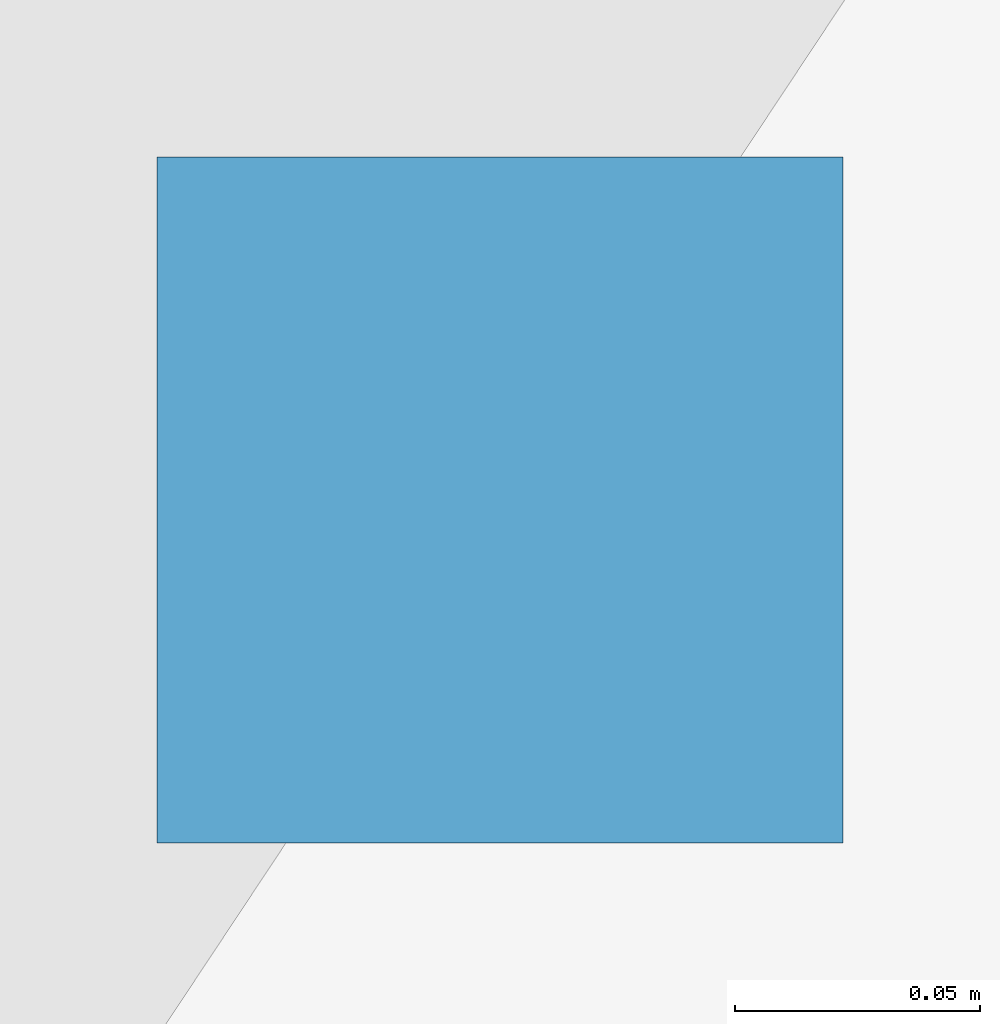
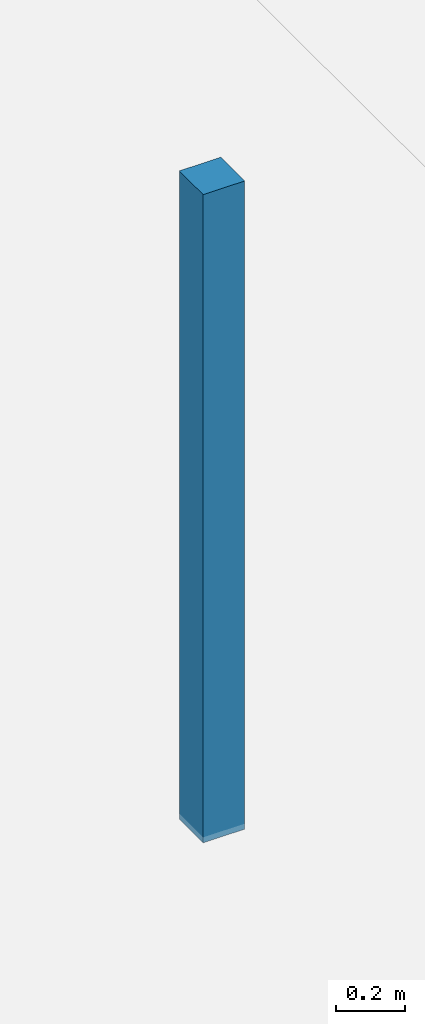
# One storey, part 37 of 47: 1 discrete accessory.
"""IFC4 building model written with IfcOpenShell, lengths in metres."""

from ifc_helpers import new_model, si_unit, direction, frame, origin, origin_2d, place, context, subcontext, project, spatial, rectangle, extrude, material, type_object, element, save


model = new_model("IFC4")

# Units and contexts
model_context = context("Model", 3, precision=1e-05, world=origin(), true_north=direction((0.0, 1.0)))
body_context = subcontext(model_context, "Body", "Model", "MODEL_VIEW")
ifc_project = project(units=[si_unit("LENGTHUNIT", "METRE"), si_unit("AREAUNIT", "SQUARE_METRE"), si_unit("VOLUMEUNIT", "CUBIC_METRE"), si_unit("PLANEANGLEUNIT", "RADIAN"), si_unit("MASSUNIT", "GRAM", prefix="KILO")], contexts=[model_context])

# Site, building, storey
site_placement = place(None, origin())
site = spatial("IfcSite", under=ifc_project, at=site_placement, CompositionType="ELEMENT")
building_placement = place(site_placement, origin())
building = spatial("IfcBuilding", under=site, at=building_placement, Name="Qorvath Tower", CompositionType="ELEMENT")
storey_placement = place(building_placement, frame((0.0, 0.0, 6.60009765625)))
storey = spatial("IfcBuildingStorey", under=building, at=storey_placement, Name="L01", CompositionType="ELEMENT", Elevation=6.60009765625)

# Discrete accessory
ifc_material = material(Name="Galvanised steel bracket", Category="steel")
discrete_accessory_type = type_object("IfcDiscreteAccessoryType", Name="DA-BRACKET", PredefinedType="BRACKET", material=ifc_material)
discrete_accessory_placement = place(storey_placement, frame((-14.25244140625, 23.357421875, 2.85986328125), z_axis=(0.0, 0.0, 1.0), x_axis=(1.0, 0.0, 0.0)))
element("IfcDiscreteAccessory", 1, at=discrete_accessory_placement, inside=storey, type_object=discrete_accessory_type, Name="Acoustic Ceiling Suspension Hanger T1-L01-009", PredefinedType="NOTDEFINED", context=body_context, shape_type="SweptSolid", body=[
    extrude(rectangle(XDim=0.139892578125, YDim=0.139892578125, at=origin_2d()), origin(), (0.0, 0.0, 1.0), 2.31005859375),
])

save(model, "model.ifc")
